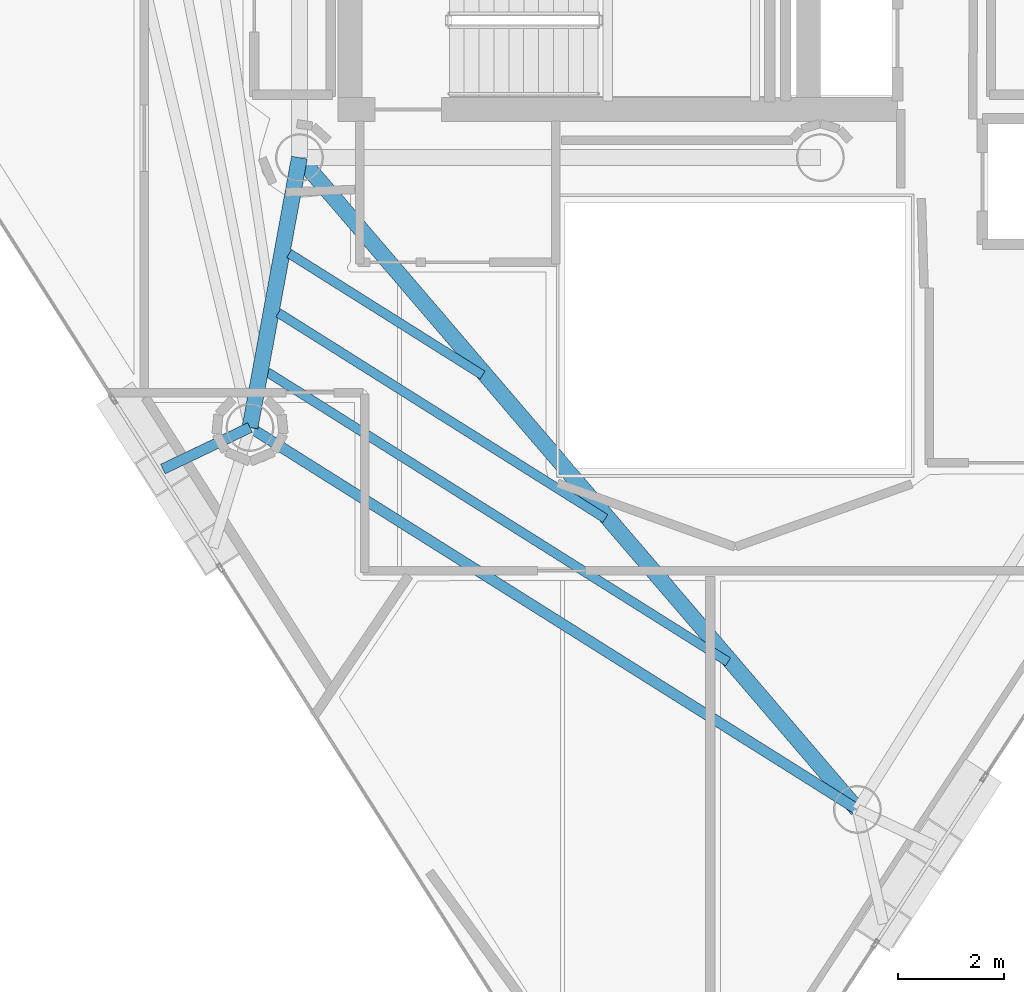
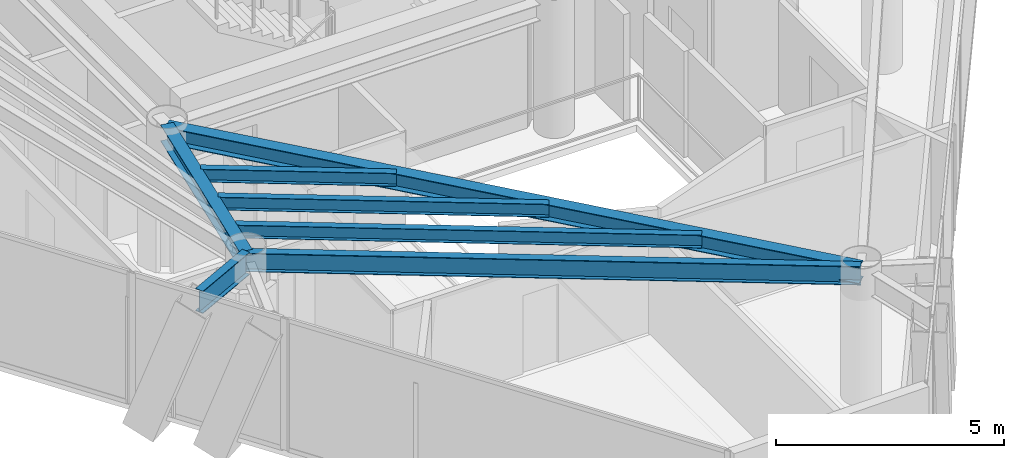
# One storey, part 4 of 25: 7 beams.
"""IFC4 building model written with IfcOpenShell, lengths in metres."""

import ifcopenshell
import ifcopenshell.guid

model = None  # the IFC model being written
_history = None  # IfcOwnerHistory: only IFC2X3 demands one
_inside = {}  # id of a spatial element -> (the spatial element, [elements in it])
_under = {}  # id of a project, library or spatial element -> (it, [spatial elements below it])
_declared = {}  # id of a project -> (the project, [libraries it declares])
_typed = {}  # id of a type object -> (the type object, [elements of that type])
_made_of = {}  # id of a material, layer set ... -> (it, [elements and type objects made of it])


def new_model(schema):
    """Start an empty IFC model of exactly this schema.

    Asked for "IFC4X3", IfcOpenShell would pick the latest addendum, in which some entities
    have other attributes; the version numbers below select the first issue.
    IFC2X3 requires an IfcOwnerHistory on every rooted entity: one is made here for all.
    """
    global model, _history
    if schema == "IFC4X3":
        model = ifcopenshell.file(schema_version=(4, 3, 0, 0))
    else:
        model = ifcopenshell.file(schema=schema)
    _inside.clear()
    _under.clear()
    _declared.clear()
    _typed.clear()
    _made_of.clear()
    _history = None
    if model.schema == "IFC2X3":
        org = make("IfcOrganization", Name="unknown")
        user = make(
            "IfcPersonAndOrganization",
            ThePerson=make("IfcPerson", FamilyName="unknown"),
            TheOrganization=org,
        )
        app = make(
            "IfcApplication",
            ApplicationDeveloper=org,
            Version="unknown",
            ApplicationFullName="unknown",
            ApplicationIdentifier="unknown",
        )
        _history = make(
            "IfcOwnerHistory",
            OwningUser=user,
            OwningApplication=app,
            ChangeAction="ADDED",
            CreationDate=0,
        )
    return model


def make(cls, **values):
    """One entity of the class cls with the attributes given. An attribute that is None is left unset."""
    return model.create_entity(
        cls, **{name: value for name, value in values.items() if value is not None}
    )


def rooted(cls, **values):
    """An entity with a GlobalId (a new one), such as an element, a storey or a relation."""
    return make(cls, GlobalId=ifcopenshell.guid.new(), OwnerHistory=_history, **values)


def si_unit(unit_type, name, prefix=None):
    """IfcSIUnit, for example si_unit("LENGTHUNIT", "METRE", prefix="MILLI")."""
    return make("IfcSIUnit", UnitType=unit_type, Prefix=prefix, Name=name)


def assignment(units):
    """IfcUnitAssignment: the units of a project."""
    return None if units is None else make("IfcUnitAssignment", Units=units)


def point(xyz):
    """IfcCartesianPoint."""
    return None if xyz is None else make("IfcCartesianPoint", Coordinates=xyz)


def direction(xyz):
    """IfcDirection."""
    return None if xyz is None else make("IfcDirection", DirectionRatios=xyz)


def frame(location, z_axis=None, x_axis=None):
    """IfcAxis2Placement3D, a coordinate frame: its origin and axes. An axis left out is left unset."""
    return make(
        "IfcAxis2Placement3D",
        Location=point(location),
        Axis=direction(z_axis),
        RefDirection=direction(x_axis),
    )


def frame_2d(location, x_axis=None):
    """IfcAxis2Placement2D, a coordinate frame in the plane: its origin and x axis."""
    return make(
        "IfcAxis2Placement2D", Location=point(location), RefDirection=direction(x_axis)
    )


def origin():
    """The frame at (0, 0, 0) with its axes left unset."""
    return frame((0.0, 0.0, 0.0))


def origin_2d():
    """The frame at (0, 0) in the plane with its x axis left unset."""
    return frame_2d((0.0, 0.0))


def place(relative_to, where):
    """IfcLocalPlacement: puts the frame where relative to a parent placement (None: the world)."""
    return make(
        "IfcLocalPlacement", PlacementRelTo=relative_to, RelativePlacement=where
    )


def context(
    kind, dimensions, precision=None, world=None, true_north=None, identifier=None
):
    """IfcGeometricRepresentationContext, for example the 3D "Model" context."""
    return make(
        "IfcGeometricRepresentationContext",
        ContextIdentifier=identifier,
        ContextType=kind,
        CoordinateSpaceDimension=dimensions,
        Precision=precision,
        WorldCoordinateSystem=world,
        TrueNorth=true_north,
    )


def subcontext(parent, identifier, kind, view, scale=None):
    """IfcGeometricRepresentationSubContext, for example "Body" below "Model"."""
    return make(
        "IfcGeometricRepresentationSubContext",
        ContextIdentifier=identifier,
        ContextType=kind,
        ParentContext=parent,
        TargetScale=scale,
        TargetView=view,
    )


def project(units=None, contexts=None):
    """IfcProject with its units and contexts."""
    return rooted(
        "IfcProject",
        Name="project",
        RepresentationContexts=contexts,
        UnitsInContext=assignment(units),
    )


def spatial(cls, under=None, at=None, **own):
    """A site, building, storey or space (cls), placed at a placement, below another one or the project."""
    s = rooted(cls, ObjectPlacement=at, **own)
    if under is not None:
        _under.setdefault(under.id(), (under, []))[1].append(s)
    return s


def profile(cls, at=None, kind="AREA", **sizes):
    """A parametric profile (cls). Its sizes go by their IFC names, for example OverallWidth=200.0."""
    return make(cls, ProfileType=kind, Position=at, **sizes)


def i_section(**sizes):
    """IfcIShapeProfileDef."""
    return profile("IfcIShapeProfileDef", **sizes)


def extrude(swept, where, along, depth):
    """IfcExtrudedAreaSolid: the profile swept, set in the frame where, extruded along a direction by depth."""
    return make(
        "IfcExtrudedAreaSolid",
        SweptArea=swept,
        Position=where,
        ExtrudedDirection=direction(along),
        Depth=depth,
    )


def shape(context_of_items, identifier, shape_type, items):
    """IfcShapeRepresentation: the items that make up one representation, for example the "Body"."""
    return make(
        "IfcShapeRepresentation",
        ContextOfItems=context_of_items,
        RepresentationIdentifier=identifier,
        RepresentationType=shape_type,
        Items=items,
    )


def material(Name=None, Category=None):
    """IfcMaterial."""
    return make("IfcMaterial", Name=Name, Category=Category)


def material_profile(
    of_material, cross_section, Name=None, Category=None, Priority=None
):
    """IfcMaterialProfile: a cross section and its material."""
    return make(
        "IfcMaterialProfile",
        Name=Name,
        Material=of_material,
        Profile=cross_section,
        Priority=Priority,
        Category=Category,
    )


def profile_set(profiles, Name=None, composite=None):
    """IfcMaterialProfileSet."""
    return make(
        "IfcMaterialProfileSet",
        Name=Name,
        MaterialProfiles=profiles,
        CompositeProfile=composite,
    )


def made_of(thing, what):
    """Note that an element or type object is made of a material, layer set ...; save() writes the relation."""
    if what is not None:
        _made_of.setdefault(what.id(), (what, []))[1].append(thing)
    return thing


def type_object(cls, material=None, **own):
    """A type object (cls), such as IfcWallType, which elements share."""
    return made_of(rooted(cls, **own), material)


def element(
    cls,
    number,
    at=None,
    inside=None,
    cuts=None,
    type_object=None,
    material=None,
    context=None,
    identifier="Body",
    shape_type=None,
    held_by="IfcProductDefinitionShape",
    body=None,
    shapes=None,
    **own,
):
    """One element of the class cls, such as IfcWall. Its Tag is "e" and its number.

    at: its placement. inside: the storey or other place that contains it. cuts: it is an
    opening in that element (IfcRelVoidsElement). A single representation is given by context,
    identifier, shape_type and body (its items); several are given by shapes. held_by: the class
    of the entity that holds the representations. save() writes the other relations.
    """
    e = rooted(cls, Tag="e%d" % number, ObjectPlacement=at, **own)
    if body is not None:
        shapes = [shape(context, identifier, shape_type, body)]
    if shapes is not None:
        e.Representation = make(held_by, Representations=shapes)
    if inside is not None:
        _inside.setdefault(inside.id(), (inside, []))[1].append(e)
    if cuts is not None:
        rooted(
            "IfcRelVoidsElement", RelatingBuildingElement=cuts, RelatedOpeningElement=e
        )
    if type_object is not None:
        _typed.setdefault(type_object.id(), (type_object, []))[1].append(e)
    return made_of(e, material)


def aggregate(whole, parts):
    """IfcRelAggregates: a whole, such as a stair, and the parts it consists of."""
    return rooted("IfcRelAggregates", RelatingObject=whole, RelatedObjects=parts)


def save(model, path):
    """Write the relations noted so far, then the file.

    IfcRelAggregates (storeys below a building ...), IfcRelContainedInSpatialStructure (elements
    in a storey), IfcRelDefinesByType, IfcRelAssociatesMaterial and IfcRelDeclares: one each for
    every whole, place, type object, material and project.
    """
    for whole, parts in _under.values():
        aggregate(whole, parts)
    for where, things in _inside.values():
        rooted(
            "IfcRelContainedInSpatialStructure",
            RelatedElements=things,
            RelatingStructure=where,
        )
    for kind, things in _typed.values():
        rooted("IfcRelDefinesByType", RelatedObjects=things, RelatingType=kind)
    for what, things in _made_of.values():
        rooted("IfcRelAssociatesMaterial", RelatedObjects=things, RelatingMaterial=what)
    for by, libraries in _declared.values():
        rooted("IfcRelDeclares", RelatingContext=by, RelatedDefinitions=libraries)
    model.write(path)


model = new_model("IFC4")

# Units and contexts
model_context = context("Model", 3, precision=1e-05, world=origin(), true_north=direction((0.0, 1.0)))
body_context = subcontext(model_context, "Body", "Model", "MODEL_VIEW")
ifc_project = project(units=[si_unit("LENGTHUNIT", "METRE"), si_unit("AREAUNIT", "SQUARE_METRE"), si_unit("VOLUMEUNIT", "CUBIC_METRE"), si_unit("PLANEANGLEUNIT", "RADIAN"), si_unit("MASSUNIT", "GRAM", prefix="KILO")], contexts=[model_context])

# Site, building, storey
site_placement = place(None, origin())
site = spatial("IfcSite", under=ifc_project, at=site_placement, CompositionType="ELEMENT")
building_placement = place(site_placement, origin())
building = spatial("IfcBuilding", under=site, at=building_placement, Name="Qianvela Tower", CompositionType="ELEMENT")
storey_placement = place(building_placement, frame((0.0, 0.0, 291.699951171875)))
storey = spatial("IfcBuildingStorey", under=building, at=storey_placement, Name="L75", CompositionType="ELEMENT", Elevation=291.699951171875)

# Beams
ifc_material_1 = material(Name="Steel Q355B", Category="steel")
ifc_material_profile_1 = material_profile(ifc_material_1, i_section(OverallWidth=0.300048828125, OverallDepth=0.43994140625, WebThickness=0.010986328125, FlangeThickness=0.01806640625, at=origin_2d()), Name="HM440x300x11x18")
ifc_profile_set_1 = profile_set([ifc_material_profile_1], Name="Steel Q355B")
beam_type_1 = type_object("IfcBeamType", Name="BM-HM440-COLL", PredefinedType="BEAM", material=ifc_profile_set_1)
beam_1_placement = place(storey_placement, frame((28.60009765625, 23.85009765625, 3.298095703125), z_axis=(-0.180242432023, -0.983622216961, 0.0), x_axis=(0.983622216961, -0.180242432023, 0.0)))
element("IfcBeam", 1, at=beam_1_placement, inside=storey, type_object=beam_type_1, Name="L75 Radial Primary Floor Girder 4", PredefinedType="BEAM", context=body_context, shape_type="SweptSolid", body=[
    extrude(i_section(OverallWidth=0.300048828125, OverallDepth=0.43994140625, WebThickness=0.010986328125, FlangeThickness=0.01806640625, at=origin_2d()), origin(), (0.0, 0.0, 1.0), 5.16064453125),
])
beam_2_placement = place(storey_placement, frame((28.60009765625, 23.85009765625, 3.298095703125), z_axis=(0.650269293807, -0.75970378802, 0.0), x_axis=(0.75970378802, 0.650269293807, 0.0)))
element("IfcBeam", 2, at=beam_2_placement, inside=storey, type_object=beam_type_1, Name="L75 Radial Primary Floor Girder 5", PredefinedType="BEAM", context=body_context, shape_type="SweptSolid", body=[
    extrude(i_section(OverallWidth=0.300048828125, OverallDepth=0.43994140625, WebThickness=0.010986328125, FlangeThickness=0.01806640625, at=origin_2d()), origin(), (0.0, 0.0, 1.0), 16.140869140625),
])
ifc_material_2 = material(Name="Steel Q355B", Category="steel")
ifc_material_profile_2 = material_profile(ifc_material_2, i_section(OverallWidth=0.175048828125, OverallDepth=0.35009765625, WebThickness=0.007080078125, FlangeThickness=0.010986328125, at=origin_2d()), Name="HN350x175x7x11")
ifc_profile_set_2 = profile_set([ifc_material_profile_2], Name="Steel Q355B")
beam_type_2 = type_object("IfcBeamType", Name="BM-HN350-JOIST", PredefinedType="JOIST", material=ifc_profile_set_2)
beam_3_placement = place(storey_placement, frame((28.407470703125, 22.04638671875, 3.343017578125), z_axis=(0.846501223135, -0.532386775973, 0.0), x_axis=(0.532386775973, 0.846501223135, 0.0)))
element("IfcBeam", 3, at=beam_3_placement, inside=storey, type_object=beam_type_2, Name="L75 Secondary Composite Floor Joist 4.1", PredefinedType="JOIST", context=body_context, shape_type="SweptSolid", body=[
    extrude(i_section(OverallWidth=0.175048828125, OverallDepth=0.35009765625, WebThickness=0.007080078125, FlangeThickness=0.010986328125, at=origin_2d()), origin(), (0.0, 0.0, 1.0), 4.29736328125),
])
beam_4_placement = place(storey_placement, frame((28.202880859375, 20.9296875, 3.343017578125), z_axis=(0.846507641225, -0.532376570998, 0.0), x_axis=(0.532376570998, 0.846507641225, 0.0)))
element("IfcBeam", 4, at=beam_4_placement, inside=storey, type_object=beam_type_2, Name="L75 Secondary Composite Floor Joist 4.2", PredefinedType="JOIST", context=body_context, shape_type="SweptSolid", body=[
    extrude(i_section(OverallWidth=0.175048828125, OverallDepth=0.35009765625, WebThickness=0.007080078125, FlangeThickness=0.010986328125, at=origin_2d()), origin(), (0.0, 0.0, 1.0), 7.266845703125),
])
beam_5_placement = place(storey_placement, frame((27.998291015625, 19.81298828125, 3.343017578125), z_axis=(0.846499587038, -0.532389377377, 0.0), x_axis=(0.532389377377, 0.846499587038, 0.0)))
element("IfcBeam", 5, at=beam_5_placement, inside=storey, type_object=beam_type_2, Name="L75 Secondary Composite Floor Joist 4.3", PredefinedType="JOIST", context=body_context, shape_type="SweptSolid", body=[
    extrude(i_section(OverallWidth=0.175048828125, OverallDepth=0.35009765625, WebThickness=0.007080078125, FlangeThickness=0.010986328125, at=origin_2d()), origin(), (0.0, 0.0, 1.0), 10.236328125),
])
ifc_material_3 = material(Name="Steel Q355B", Category="steel")
ifc_material_profile_3 = material_profile(ifc_material_3, i_section(OverallWidth=0.199951171875, OverallDepth=0.5, WebThickness=0.010009765625, FlangeThickness=0.01611328125, at=origin_2d()), Name="HN500x200x10x16")
ifc_profile_set_3 = profile_set([ifc_material_profile_3], Name="Steel Q355B")
beam_type_3 = type_object("IfcBeamType", Name="BM-HN500-GIRD", PredefinedType="BEAM", material=ifc_profile_set_3)
beam_6_placement = place(storey_placement, frame((27.669921875, 18.77392578125, 3.26806640625), z_axis=(0.846504270846, -0.532381930046, 0.0), x_axis=(0.532381930046, 0.846504270846, 0.0)))
element("IfcBeam", 6, at=beam_6_placement, inside=storey, type_object=beam_type_3, Name="L75 Perimeter Ring Spandrel Girder 4", PredefinedType="BEAM", context=body_context, shape_type="SweptSolid", body=[
    extrude(i_section(OverallWidth=0.199951171875, OverallDepth=0.5, WebThickness=0.010009765625, FlangeThickness=0.01611328125, at=origin_2d()), origin(), (0.0, 0.0, 1.0), 13.497802734375),
])
ifc_material_4 = material(Name="Steel Q355B", Category="steel")
ifc_material_profile_4 = material_profile(ifc_material_4, i_section(OverallWidth=0.199951171875, OverallDepth=0.60009765625, WebThickness=0.010986328125, FlangeThickness=0.01708984375, at=origin_2d()), Name="HN600x200x11x17")
ifc_profile_set_4 = profile_set([ifc_material_profile_4], Name="Steel Q355B")
beam_type_4 = type_object("IfcBeamType", Name="BM-HN600-GIRD", PredefinedType="BEAM", material=ifc_profile_set_4)
beam_7_placement = place(storey_placement, frame((27.669921875, 18.77392578125, 3.218017578125), z_axis=(-0.902397901103, -0.430903734128, 0.0), x_axis=(0.430903734128, -0.902397901103, 0.0)))
element("IfcBeam", 7, at=beam_7_placement, inside=storey, type_object=beam_type_4, Name="L75 Mega-Brace Column Tie Bracket F2-1", PredefinedType="BEAM", context=body_context, shape_type="SweptSolid", body=[
    extrude(i_section(OverallWidth=0.199951171875, OverallDepth=0.60009765625, WebThickness=0.010986328125, FlangeThickness=0.01708984375, at=origin_2d()), origin(), (0.0, 0.0, 1.0), 1.81640625),
])

save(model, "model.ifc")
